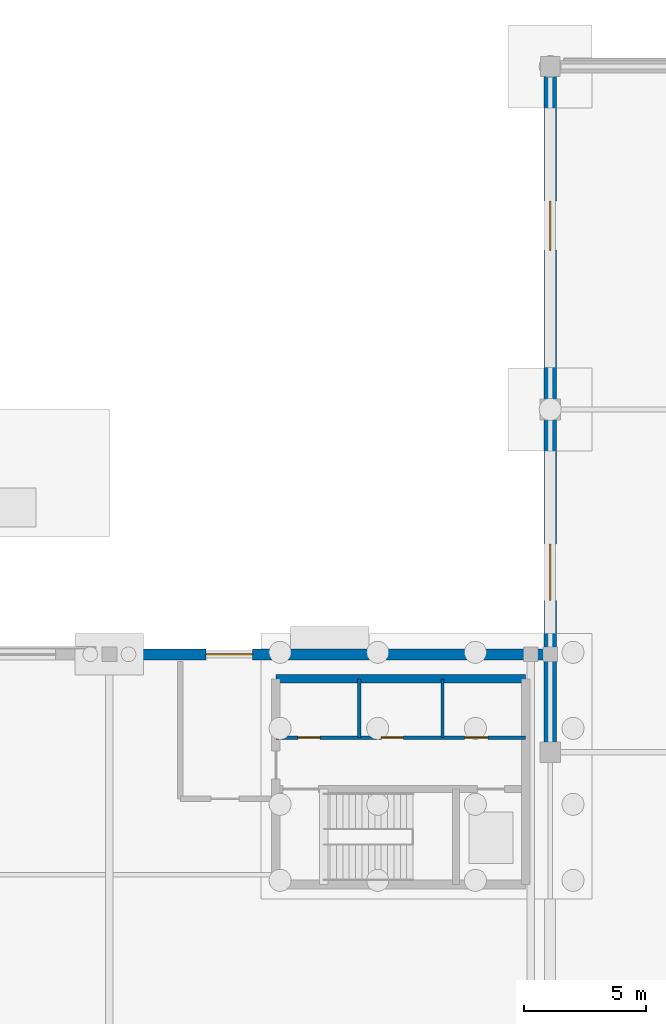
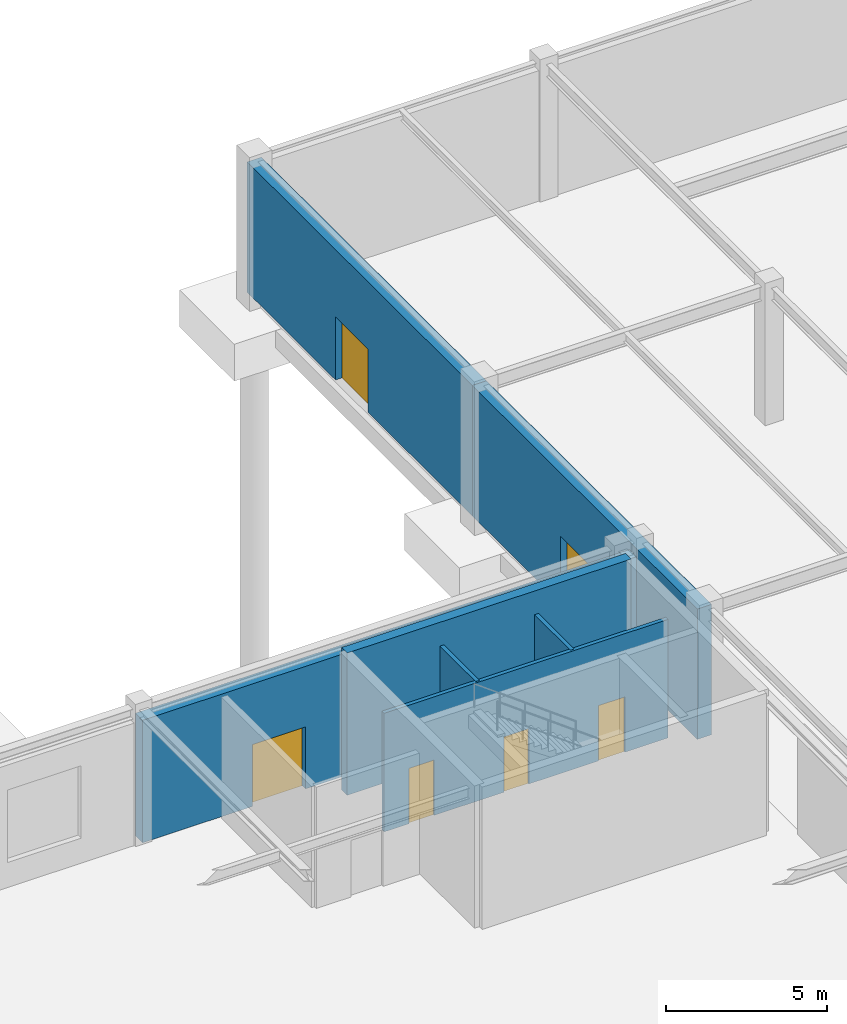
# One storey, part 35 of 53: 7 walls, 6 doors, 6 openings.
"""IFC4 building model written with IfcOpenShell, lengths in metres."""

from ifc_helpers import new_model, si_unit, derived_unit, direction, frame, frame_2d, origin, place, context, subcontext, project, spatial, rectangle, extrude, material, layer, layer_set, type_object, element, fill, save


model = new_model("IFC4")

# Units and contexts
model_context = context("Model", 3, precision=1e-05, world=origin(), true_north=direction((0.0, 1.0)))
body_context = subcontext(model_context, "Body", "Model", "MODEL_VIEW")
ifc_project = project(units=[si_unit("LENGTHUNIT", "METRE"), si_unit("AREAUNIT", "SQUARE_METRE"), si_unit("VOLUMEUNIT", "CUBIC_METRE"), si_unit("PLANEANGLEUNIT", "RADIAN"), si_unit("MASSUNIT", "GRAM", prefix="KILO"), derived_unit("THERMALTRANSMITTANCEUNIT", [(si_unit("POWERUNIT", "WATT"), 1), (si_unit("LENGTHUNIT", "METRE"), -2), (si_unit("THERMODYNAMICTEMPERATUREUNIT", "KELVIN"), -1)])], contexts=[model_context])

# Site, building, storey
site_placement = place(None, origin())
site = spatial("IfcSite", under=ifc_project, at=site_placement, CompositionType="ELEMENT")
building_placement = place(site_placement, origin())
building = spatial("IfcBuilding", under=site, at=building_placement, Name="Almenara Railside Exhibition Hall", CompositionType="ELEMENT")
storey_placement = place(building_placement, origin())
storey = spatial("IfcBuildingStorey", under=building, at=storey_placement, Name="L00", CompositionType="ELEMENT", Elevation=0.0)

# Wall
ifc_material_1 = material(Name="Concrete C35/45", Category="concrete")
ifc_layer_1 = layer(ifc_material_1, 0.35009765625, Name="Concrete C35/45")
ifc_layer_set_1 = layer_set([ifc_layer_1], Name="Concrete C35/45")
wall_type_1 = type_object("IfcWallType", Name="Core Coupled Shear Wall 350mm C35/45", PredefinedType="SHEAR", material=ifc_layer_set_1)
wall_1_placement = place(storey_placement, frame((137.0, 107.0, 0.0), z_axis=(0.0, 0.0, 1.0), x_axis=(-1.0, 0.0, 0.0)))
element("IfcWall", 1, at=wall_1_placement, inside=storey, type_object=wall_type_1, Name="Interior wall 0218", PredefinedType="SHEAR", context=body_context, shape_type="SweptSolid", body=[
    extrude(rectangle(XDim=10.199951171875, YDim=0.35009765625, at=frame_2d((5.10009765625, 0.0))), origin(), (0.0, 0.0, 1.0), 5.39990234375),
])

# Wall, opening, door
ifc_material_2 = material(Name="Ochre-white lime-rendered masonry over Concrete C35/45", Category="masonry")
ifc_layer_2 = layer(ifc_material_2, 0.449951171875, Name="Ochre-white lime-rendered masonry over Concrete C35/45")
ifc_layer_set_2 = layer_set([ifc_layer_2], Name="Ochre-white lime-rendered masonry over Concrete C35/45")
wall_type_2 = type_object("IfcWallType", Name="Exterior Civic Stucco Wall 450mm C35/45", PredefinedType="SOLIDWALL", material=ifc_layer_set_2)
wall_2_placement = place(storey_placement, frame((138.0, 108.0, 0.0), z_axis=(0.0, 0.0, 1.0), x_axis=(-1.0, 0.0, 0.0)))
wall_2 = element("IfcWall", 2, at=wall_2_placement, inside=storey, type_object=wall_type_2, Name="Exterior wall 0156", PredefinedType="SOLIDWALL", context=body_context, shape_type="SweptSolid", body=[
    extrude(rectangle(XDim=18.0, YDim=0.449951171875, at=frame_2d((9.0, 0.0))), origin(), (0.0, 0.0, 1.0), 4.64990234375),
])
opening_1_placement = place(wall_2_placement, frame((12.14990234375, 0.0, 0.0)))
opening_1 = element("IfcOpeningElement", 3, at=opening_1_placement, cuts=wall_2, Name="Opening ED-31", PredefinedType="OPENING", context=body_context, shape_type="SweptSolid", body=[
    extrude(rectangle(XDim=1.89990234375, YDim=2.35009765625, at=frame_2d((0.949951171875, 1.175048828125))), frame((0.0, 0.23486328125, 0.0), z_axis=(0.0, -1.0, 0.0), x_axis=(1.0, 0.0, 0.0)), (0.0, 0.0, 1.0), 0.469970703125),
])
ifc_material_3 = material(Name="Bronze-anodised glazed escape door")
door_type_1 = type_object("IfcDoorType", Name="Congress Double Escape Door 1900x2350", OperationType="NOTDEFINED", PredefinedType="DOOR", material=ifc_material_3)
door_1_placement = place(opening_1_placement, frame((1.89990234375, 0.0, 0.0), z_axis=(0.0, 0.0, 1.0), x_axis=(-1.0, 0.0, 0.0)))
door_1 = element("IfcDoor", 4, at=door_1_placement, inside=storey, type_object=door_type_1, Name="Exterior door ED-31", OperationType="DOUBLE_DOOR_SINGLE_SWING", OverallHeight=2.35009765625, OverallWidth=1.89990234375, PredefinedType="DOOR", context=body_context, shape_type="SweptSolid", body=[
    extrude(rectangle(XDim=1.89990234375, YDim=2.35009765625, at=frame_2d((0.949951171875, 1.175048828125))), frame((0.0, 0.02490234375, 0.0), z_axis=(0.0, -1.0, 0.0), x_axis=(1.0, 0.0, 0.0)), (0.0, 0.0, 1.0), 0.050048828125),
])
fill(opening_1, door_1)

ifc_layer_3 = layer(ifc_material_2, 0.510009765625, Name="Ochre-white lime-rendered masonry over Concrete C35/45")
ifc_layer_set_3 = layer_set([ifc_layer_3], Name="Ochre-white lime-rendered masonry over Concrete C35/45")
wall_type_3 = type_object("IfcWallType", Name="Exterior East Hall Thermal Wall 510mm C35/45", PredefinedType="SOLIDWALL", material=ifc_layer_set_3)
wall_3_placement = place(storey_placement, frame((138.0, 118.0, 0.0), z_axis=(0.0, 0.0, 1.0), x_axis=(0.0, -1.0, 0.0)))
wall_3 = element("IfcWall", 5, at=wall_3_placement, inside=storey, type_object=wall_type_3, Name="Exterior wall 0088", PredefinedType="SOLIDWALL", context=body_context, shape_type="SweptSolid", body=[
    extrude(rectangle(XDim=14.0, YDim=0.510009765625, at=frame_2d((7.0, 0.0))), origin(), (0.0, 0.0, 1.0), 4.949951171875),
])
opening_2_placement = place(wall_3_placement, frame((5.5, 0.0, 0.0)))
opening_2 = element("IfcOpeningElement", 6, at=opening_2_placement, cuts=wall_3, Name="Opening ED-10", PredefinedType="OPENING", context=body_context, shape_type="SweptSolid", body=[
    extrude(rectangle(XDim=2.300048828125, YDim=2.550048828125, at=frame_2d((1.14990234375, 1.27490234375))), frame((0.0, 0.264892578125, 0.0), z_axis=(0.0, -1.0, 0.0), x_axis=(1.0, 0.0, 0.0)), (0.0, 0.0, 1.0), 0.530029296875),
])
ifc_material_4 = material(Name="Bronze-anodised glazed entrance door")
door_type_2 = type_object("IfcDoorType", Name="Hall Gable Double Exit Door 2300x2550", OperationType="NOTDEFINED", PredefinedType="DOOR", material=ifc_material_4)
door_2_placement = place(opening_2_placement, frame((2.300048828125, 0.0, 0.0), z_axis=(0.0, 0.0, 1.0), x_axis=(-1.0, 0.0, 0.0)))
door_2 = element("IfcDoor", 7, at=door_2_placement, inside=storey, type_object=door_type_2, Name="Exterior door ED-10", OperationType="DOUBLE_DOOR_SINGLE_SWING", OverallHeight=2.550048828125, OverallWidth=2.300048828125, PredefinedType="DOOR", context=body_context, shape_type="SweptSolid", body=[
    extrude(rectangle(XDim=2.300048828125, YDim=2.550048828125, at=frame_2d((1.14990234375, 1.27490234375))), frame((0.0, 0.02490234375, 0.0), z_axis=(0.0, -1.0, 0.0), x_axis=(1.0, 0.0, 0.0)), (0.0, 0.0, 1.0), 0.050048828125),
])
fill(opening_2, door_2)

wall_4_placement = place(storey_placement, frame((138.0, 132.0, 0.0), z_axis=(0.0, 0.0, 1.0), x_axis=(0.0, -1.0, 0.0)))
wall_4 = element("IfcWall", 8, at=wall_4_placement, inside=storey, type_object=wall_type_3, Name="Exterior wall 0092", PredefinedType="SOLIDWALL", context=body_context, shape_type="SweptSolid", body=[
    extrude(rectangle(XDim=14.0, YDim=0.510009765625, at=frame_2d((7.0, 0.0))), origin(), (0.0, 0.0, 1.0), 4.949951171875),
])
opening_3_placement = place(wall_4_placement, frame((5.5, 0.0, 0.0)))
opening_3 = element("IfcOpeningElement", 9, at=opening_3_placement, cuts=wall_4, Name="Opening ED-11", PredefinedType="OPENING", context=body_context, shape_type="SweptSolid", body=[
    extrude(rectangle(XDim=2.0, YDim=2.39990234375, at=frame_2d((1.0, 1.199951171875))), frame((0.0, 0.264892578125, 0.0), z_axis=(0.0, -1.0, 0.0), x_axis=(1.0, 0.0, 0.0)), (0.0, 0.0, 1.0), 0.530029296875),
])
door_type_3 = type_object("IfcDoorType", Name="Pavilion Double Escape Exit Door 2000x2400", OperationType="NOTDEFINED", PredefinedType="DOOR", material=ifc_material_3)
door_3_placement = place(opening_3_placement, frame((2.0, 0.0, 0.0), z_axis=(0.0, 0.0, 1.0), x_axis=(-1.0, 0.0, 0.0)))
door_3 = element("IfcDoor", 10, at=door_3_placement, inside=storey, type_object=door_type_3, Name="Exterior door ED-11", OperationType="DOUBLE_DOOR_SINGLE_SWING", OverallHeight=2.39990234375, OverallWidth=2.0, PredefinedType="DOOR", context=body_context, shape_type="SweptSolid", body=[
    extrude(rectangle(XDim=2.0, YDim=2.39990234375, at=frame_2d((1.0, 1.199951171875))), frame((0.0, 0.02490234375, 0.0), z_axis=(0.0, -1.0, 0.0), x_axis=(1.0, 0.0, 0.0)), (0.0, 0.0, 1.0), 0.050048828125),
])
fill(opening_3, door_3)

# Wall, openings, doors
ifc_material_5 = material(Name="Moisture-resistant tiled masonry partition", Category="masonry")
ifc_layer_4 = layer(ifc_material_5, 0.139892578125, Name="Moisture-resistant tiled masonry partition")
ifc_layer_set_4 = layer_set([ifc_layer_4], Name="Moisture-resistant tiled masonry partition")
wall_type_4 = type_object("IfcWallType", Name="Sanitary Wet-Wall Partition 140mm", PredefinedType="PARTITIONING", material=ifc_layer_set_4)
wall_5_placement = place(storey_placement, frame((126.800048828125, 104.60009765625, 0.0), z_axis=(0.0, 0.0, 1.0), x_axis=(1.0, 0.0, 0.0)))
wall_5 = element("IfcWall", 11, at=wall_5_placement, inside=storey, type_object=wall_type_4, Name="Interior wall 0223", PredefinedType="PARTITIONING", context=body_context, shape_type="SweptSolid", body=[
    extrude(rectangle(XDim=10.199951171875, YDim=0.139892578125, at=frame_2d((5.10009765625, 0.0))), origin(), (0.0, 0.0, 1.0), 4.5),
])
opening_4_placement = place(wall_5_placement, frame((0.89990234375, 0.0, 0.0)))
opening_4 = element("IfcOpeningElement", 12, at=opening_4_placement, cuts=wall_5, Name="Opening ID-09", PredefinedType="OPENING", context=body_context, shape_type="SweptSolid", body=[
    extrude(rectangle(XDim=0.89990234375, YDim=2.10009765625, at=frame_2d((0.449951171875, 1.050048828125))), frame((0.0, 0.079833984375, 0.0), z_axis=(0.0, -1.0, 0.0), x_axis=(1.0, 0.0, 0.0)), (0.0, 0.0, 1.0), 0.159912109375),
])
opening_5_placement = place(wall_5_placement, frame((4.300048828125, 0.0, 0.0)))
opening_5 = element("IfcOpeningElement", 13, at=opening_5_placement, cuts=wall_5, Name="Opening ID-09", PredefinedType="OPENING", context=body_context, shape_type="SweptSolid", body=[
    extrude(rectangle(XDim=0.89990234375, YDim=2.10009765625, at=frame_2d((0.449951171875, 1.050048828125))), frame((0.0, 0.079833984375, 0.0), z_axis=(0.0, -1.0, 0.0), x_axis=(1.0, 0.0, 0.0)), (0.0, 0.0, 1.0), 0.159912109375),
])
opening_6_placement = place(wall_5_placement, frame((7.699951171875, 0.0, 0.0)))
opening_6 = element("IfcOpeningElement", 14, at=opening_6_placement, cuts=wall_5, Name="Opening ID-095", PredefinedType="OPENING", context=body_context, shape_type="SweptSolid", body=[
    extrude(rectangle(XDim=0.949951171875, YDim=2.10009765625, at=frame_2d((0.47509765625, 1.050048828125))), frame((0.0, 0.079833984375, 0.0), z_axis=(0.0, -1.0, 0.0), x_axis=(1.0, 0.0, 0.0)), (0.0, 0.0, 1.0), 0.159912109375),
])
ifc_material_6 = material(Name="Moisture-resistant hardwood door", Category="wood")
door_type_4 = type_object("IfcDoorType", Name="Accessible Toilet Door 950x2100", OperationType="NOTDEFINED", PredefinedType="DOOR", material=ifc_material_6)
door_4_placement = place(opening_6_placement, origin())
door_4 = element("IfcDoor", 15, at=door_4_placement, inside=storey, type_object=door_type_4, Name="Interior door ID-095-150", OperationType="SINGLE_SWING_RIGHT", OverallHeight=2.10009765625, OverallWidth=0.949951171875, PredefinedType="DOOR", context=body_context, shape_type="SweptSolid", body=[
    extrude(rectangle(XDim=0.949951171875, YDim=2.10009765625, at=frame_2d((0.47509765625, 1.050048828125))), frame((0.0, 0.02490234375, 0.0), z_axis=(0.0, -1.0, 0.0), x_axis=(1.0, 0.0, 0.0)), (0.0, 0.0, 1.0), 0.050048828125),
])
fill(opening_6, door_4)
door_type_5 = type_object("IfcDoorType", Name="Sanitary Lobby Single Door 900x2100", OperationType="NOTDEFINED", PredefinedType="DOOR", material=ifc_material_6)
door_5_placement = place(opening_4_placement, origin())
door_5 = element("IfcDoor", 16, at=door_5_placement, inside=storey, type_object=door_type_5, Name="Interior door ID-09-148", OperationType="SINGLE_SWING_RIGHT", OverallHeight=2.10009765625, OverallWidth=0.89990234375, PredefinedType="DOOR", context=body_context, shape_type="SweptSolid", body=[
    extrude(rectangle(XDim=0.89990234375, YDim=2.10009765625, at=frame_2d((0.449951171875, 1.050048828125))), frame((0.0, 0.02490234375, 0.0), z_axis=(0.0, -1.0, 0.0), x_axis=(1.0, 0.0, 0.0)), (0.0, 0.0, 1.0), 0.050048828125),
])
fill(opening_4, door_5)
door_6_placement = place(opening_5_placement, origin())
door_6 = element("IfcDoor", 17, at=door_6_placement, inside=storey, type_object=door_type_5, Name="Interior door ID-09-149", OperationType="SINGLE_SWING_LEFT", OverallHeight=2.10009765625, OverallWidth=0.89990234375, PredefinedType="DOOR", context=body_context, shape_type="SweptSolid", body=[
    extrude(rectangle(XDim=0.89990234375, YDim=2.10009765625, at=frame_2d((0.449951171875, 1.050048828125))), frame((0.0, 0.02490234375, 0.0), z_axis=(0.0, -1.0, 0.0), x_axis=(1.0, 0.0, 0.0)), (0.0, 0.0, 1.0), 0.050048828125),
])
fill(opening_5, door_6)

# Walls
for number, where, z_axis, x_axis, name in (
    (18, (130.199951171875, 104.60009765625, 0.0), (0.0, 0.0, 1.0), (0.0, 1.0, 0.0), "Interior wall 0224"),
    (19, (133.60009765625, 104.60009765625, 0.0), (0.0, 0.0, 1.0), (0.0, 1.0, 0.0), "Interior wall 0225"),
):
    element("IfcWall", number, at=place(storey_placement, frame(where, z_axis=z_axis, x_axis=x_axis)), inside=storey, type_object=wall_type_4, Name=name, PredefinedType="PARTITIONING", context=body_context, shape_type="SweptSolid", body=[
        extrude(rectangle(XDim=2.39990234375, YDim=0.139892578125, at=frame_2d((1.199951171875, 0.0))), origin(), (0.0, 0.0, 1.0), 4.5),
    ])

save(model, "model.ifc")
